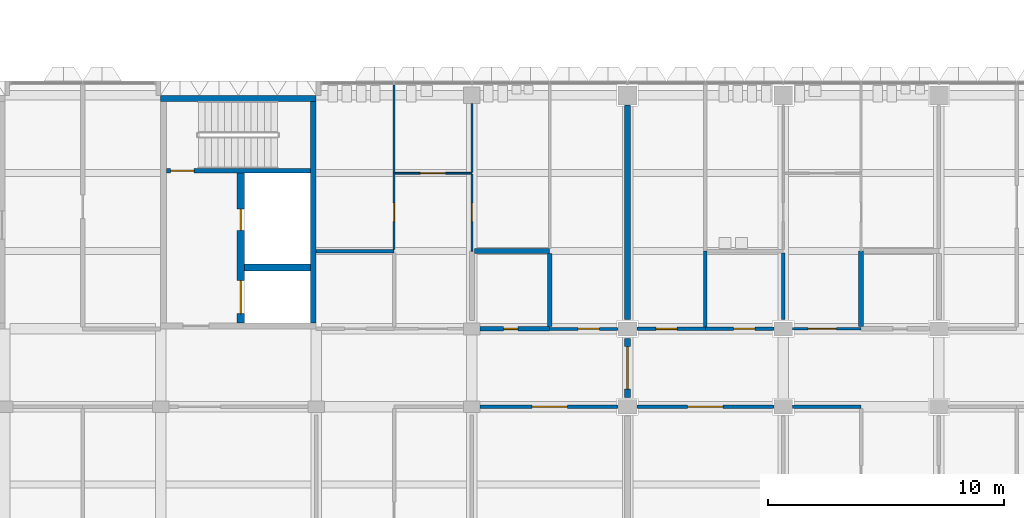
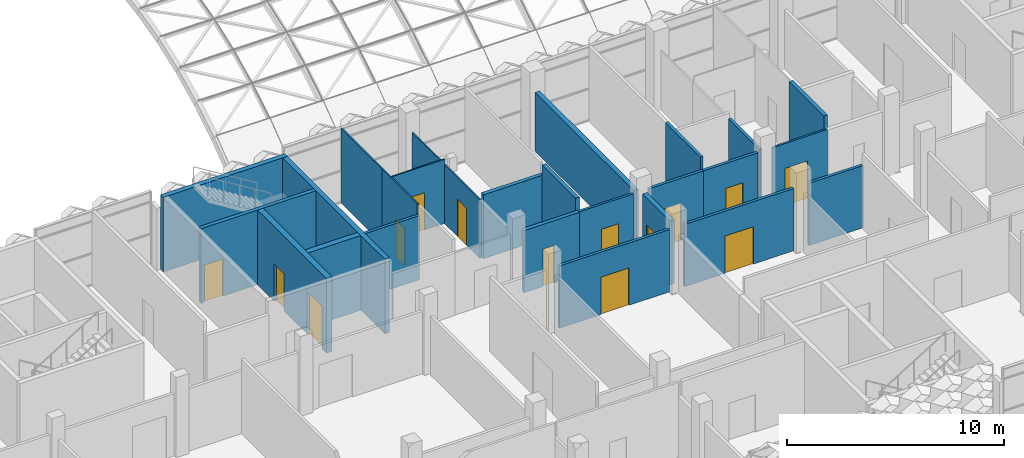
# One storey, part 28 of 85: 26 walls, 14 doors, 14 openings.
"""IFC4 building model written with IfcOpenShell, lengths in metres."""

from ifc_helpers import new_model, si_unit, direction, frame, frame_2d, origin, place, context, subcontext, project, spatial, rectangle, extrude, material, layer, layer_set, type_object, element, fill, save


model = new_model("IFC4")

# Units and contexts
model_context = context("Model", 3, precision=1e-05, world=origin(), true_north=direction((0.0, 1.0)))
body_context = subcontext(model_context, "Body", "Model", "MODEL_VIEW")
ifc_project = project(units=[si_unit("LENGTHUNIT", "METRE"), si_unit("AREAUNIT", "SQUARE_METRE"), si_unit("VOLUMEUNIT", "CUBIC_METRE"), si_unit("PLANEANGLEUNIT", "RADIAN"), si_unit("MASSUNIT", "GRAM", prefix="KILO")], contexts=[model_context])

# Site, building, storey
site_placement = place(None, origin())
site = spatial("IfcSite", under=ifc_project, at=site_placement, CompositionType="ELEMENT")
building_placement = place(site_placement, origin())
building = spatial("IfcBuilding", under=site, at=building_placement, Name="Lantern Court Research Institute", CompositionType="ELEMENT")
storey_placement = place(building_placement, frame((0.0, 0.0, 18.89990234375)))
storey = spatial("IfcBuildingStorey", under=building, at=storey_placement, Name="L04", CompositionType="ELEMENT", Elevation=18.89990234375)

# Wall, opening, door
ifc_material_1 = material(Name="Fire-rated gypsum board partition, mineral wool filled")
ifc_layer_1 = layer(ifc_material_1, 0.199951171875)
ifc_layer_set_1 = layer_set([ifc_layer_1], Name="Fire-rated gypsum board partition, mineral wool filled")
wall_type_1 = type_object("IfcWallType", Name="Compartment wall 200 EI 120", PredefinedType="PARTITIONING", material=ifc_layer_set_1)
wall_1_placement = place(storey_placement, frame((46.550048828125, 13.199951171875, 0.0), z_axis=(0.0, 0.0, 1.0), x_axis=(1.0, 0.0, 0.0)))
wall_1 = element("IfcWall", 1, at=wall_1_placement, inside=storey, type_object=wall_type_1, Name="Compartment wall 200 EI 120", PredefinedType="PARTITIONING", context=body_context, shape_type="SweptSolid", body=[
    extrude(rectangle(XDim=2.949951171875, YDim=0.199951171875, at=frame_2d((1.47509765625, 0.0))), origin(), (0.0, 0.0, 1.0), 3.5),
])
opening_1_placement = place(wall_1_placement, frame((1.0, 0.0, 0.0)))
opening_1 = element("IfcOpeningElement", 2, at=opening_1_placement, cuts=wall_1, Name="Opening D4409", PredefinedType="OPENING", context=body_context, shape_type="SweptSolid", body=[
    extrude(rectangle(XDim=0.60009765625, YDim=2.10009765625, at=frame_2d((0.300048828125, 1.050048828125))), frame((0.0, 0.10986328125, 0.0), z_axis=(0.0, -1.0, 0.0), x_axis=(1.0, 0.0, 0.0)), (0.0, 0.0, 1.0), 0.219970703125),
])
ifc_material_2 = material(Name="Solid-core timber door leaf", Category="wood")
ifc_layer_2 = layer(ifc_material_2, 0.06005859375)
ifc_layer_set_2 = layer_set([ifc_layer_2], Name="Solid-core timber door leaf")
door_type_1 = type_object("IfcDoorType", Name="Service riser door 600 x 2100 single FD60", OperationType="NOTDEFINED", PredefinedType="DOOR", material=ifc_layer_set_2)
door_1_placement = place(opening_1_placement, origin())
door_1 = element("IfcDoor", 3, at=door_1_placement, inside=storey, type_object=door_type_1, Name="Door D4409", OperationType="SINGLE_SWING_RIGHT", OverallHeight=2.10009765625, OverallWidth=0.60009765625, PredefinedType="DOOR", context=body_context, shape_type="SweptSolid", body=[
    extrude(rectangle(XDim=0.60009765625, YDim=2.10009765625, at=frame_2d((0.300048828125, 1.050048828125))), frame((0.0, 0.030029296875, 0.0), z_axis=(0.0, -1.0, 0.0), x_axis=(1.0, 0.0, 0.0)), (0.0, 0.0, 1.0), 0.06005859375),
])
fill(opening_1, door_1)

# Walls
wall_2_placement = place(storey_placement, frame((49.5, 16.5, 0.0), z_axis=(0.0, 0.0, 1.0), x_axis=(-1.0, 0.0, 0.0)))
element("IfcWall", 4, at=wall_2_placement, inside=storey, type_object=wall_type_1, Name="Compartment wall 200 EI 120", PredefinedType="PARTITIONING", context=body_context, shape_type="SweptSolid", body=[
    extrude(rectangle(XDim=3.199951171875, YDim=0.199951171875, at=frame_2d((1.60009765625, 0.0))), origin(), (0.0, 0.0, 1.0), 3.60009765625),
])
wall_3_placement = place(storey_placement, frame((49.5, 13.300048828125, 0.0), z_axis=(0.0, 0.0, 1.0), x_axis=(0.0, 1.0, 0.0)))
element("IfcWall", 5, at=wall_3_placement, inside=storey, type_object=wall_type_1, Name="Compartment wall 200 EI 120", PredefinedType="PARTITIONING", context=body_context, shape_type="SweptSolid", body=[
    extrude(rectangle(XDim=3.099853515625, YDim=0.199951171875, at=frame_2d((1.5498046875, 0.0))), origin(), (0.0, 0.0, 1.0), 4.2001953125),
])
wall_4_placement = place(storey_placement, frame((62.699951171875, 13.300048828125, 0.0), z_axis=(0.0, 0.0, 1.0), x_axis=(0.0, 1.0, 0.0)))
element("IfcWall", 6, at=wall_4_placement, inside=storey, type_object=wall_type_1, Name="Compartment wall 200 EI 120", PredefinedType="PARTITIONING", context=body_context, shape_type="SweptSolid", body=[
    extrude(rectangle(XDim=3.199951171875, YDim=0.199951171875, at=frame_2d((1.60009765625, 0.0))), origin(), (0.0, 0.0, 1.0), 4.2001953125),
])

# Wall, opening, door
ifc_material_3 = material(Name="Fire-rated gypsum board partition, mineral wool filled")
ifc_layer_3 = layer(ifc_material_3, 0.125)
ifc_layer_set_3 = layer_set([ifc_layer_3], Name="Fire-rated gypsum board partition, mineral wool filled")
wall_type_2 = type_object("IfcWallType", Name="Corridor partition 125 EI 60", PredefinedType="PARTITIONING", material=ifc_layer_set_3)
wall_5_placement = place(storey_placement, frame((49.5, 13.199951171875, 0.0), z_axis=(0.0, 0.0, 1.0), x_axis=(1.0, 0.0, 0.0)))
wall_5 = element("IfcWall", 7, at=wall_5_placement, inside=storey, type_object=wall_type_2, Name="Corridor partition 125 EI 60", PredefinedType="PARTITIONING", context=body_context, shape_type="SweptSolid", body=[
    extrude(rectangle(XDim=2.89990234375, YDim=0.125, at=frame_2d((1.449951171875, 0.0))), origin(), (0.0, 0.0, 1.0), 3.5),
])
opening_2_placement = place(wall_5_placement, frame((1.199951171875, 0.0, 0.0)))
opening_2 = element("IfcOpeningElement", 8, at=opening_2_placement, cuts=wall_5, Name="Opening D4411", PredefinedType="OPENING", context=body_context, shape_type="SweptSolid", body=[
    extrude(rectangle(XDim=0.89990234375, YDim=2.10009765625, at=frame_2d((0.449951171875, 1.050048828125))), frame((0.0, 0.072509765625, 0.0), z_axis=(0.0, -1.0, 0.0), x_axis=(1.0, 0.0, 0.0)), (0.0, 0.0, 1.0), 0.14501953125),
])
ifc_material_4 = material(Name="Solid-core timber door leaf", Category="wood")
ifc_layer_4 = layer(ifc_material_4, 0.053955078125)
ifc_layer_set_4 = layer_set([ifc_layer_4], Name="Solid-core timber door leaf")
door_type_2 = type_object("IfcDoorType", Name="Office door 900 x 2100 single FD30S", OperationType="NOTDEFINED", PredefinedType="DOOR", material=ifc_layer_set_4)
door_2_placement = place(opening_2_placement, origin())
door_2 = element("IfcDoor", 9, at=door_2_placement, inside=storey, type_object=door_type_2, Name="Door D4411", OperationType="SINGLE_SWING_RIGHT", OverallHeight=2.10009765625, OverallWidth=0.89990234375, PredefinedType="DOOR", context=body_context, shape_type="SweptSolid", body=[
    extrude(rectangle(XDim=0.89990234375, YDim=2.10009765625, at=frame_2d((0.449951171875, 1.050048828125))), frame((0.0, 0.02685546875, 0.0), z_axis=(0.0, -1.0, 0.0), x_axis=(1.0, 0.0, 0.0)), (0.0, 0.0, 1.0), 0.053955078125),
])
fill(opening_2, door_2)

ifc_material_5 = material(Name="Fire-rated gypsum board partition, mineral wool filled")
ifc_layer_5 = layer(ifc_material_5, 0.14990234375)
ifc_layer_set_5 = layer_set([ifc_layer_5], Name="Fire-rated gypsum board partition, mineral wool filled")
wall_type_3 = type_object("IfcWallType", Name="Laboratory partition 150 EI 60", PredefinedType="PARTITIONING", material=ifc_layer_set_5)
wall_6_placement = place(storey_placement, frame((46.550048828125, 9.89990234375, 0.0), z_axis=(0.0, 0.0, 1.0), x_axis=(1.0, 0.0, 0.0)))
wall_6 = element("IfcWall", 10, at=wall_6_placement, inside=storey, type_object=wall_type_3, Name="Laboratory partition 150 EI 60", PredefinedType="PARTITIONING", context=body_context, shape_type="SweptSolid", body=[
    extrude(rectangle(XDim=5.849853515625, YDim=0.14990234375, at=frame_2d((2.9248046875, 0.0))), origin(), (0.0, 0.0, 1.0), 3.5),
])
opening_3_placement = place(wall_6_placement, frame((2.199951171875, 0.0, 0.0)))
opening_3 = element("IfcOpeningElement", 11, at=opening_3_placement, cuts=wall_6, Name="Opening D4427", PredefinedType="OPENING", context=body_context, shape_type="SweptSolid", body=[
    extrude(rectangle(XDim=1.5, YDim=2.10009765625, at=frame_2d((0.75, 1.050048828125))), frame((0.0, 0.0849609375, 0.0), z_axis=(0.0, -1.0, 0.0), x_axis=(1.0, 0.0, 0.0)), (0.0, 0.0, 1.0), 0.169921875),
])
ifc_material_6 = material(Name="Solid-core timber door leaf with vision panel", Category="wood")
ifc_layer_6 = layer(ifc_material_6, 0.053955078125)
ifc_layer_set_6 = layer_set([ifc_layer_6], Name="Solid-core timber door leaf with vision panel")
door_type_3 = type_object("IfcDoorType", Name="Laboratory double door 1500 x 2100 pair FD30S", OperationType="DOUBLE_DOOR_SINGLE_SWING", PredefinedType="DOOR", material=ifc_layer_set_6)
door_3_placement = place(opening_3_placement, origin())
door_3 = element("IfcDoor", 12, at=door_3_placement, inside=storey, type_object=door_type_3, Name="Door D4427", OperationType="DOUBLE_DOOR_SINGLE_SWING", OverallHeight=2.10009765625, OverallWidth=1.5, PredefinedType="DOOR", context=body_context, shape_type="SweptSolid", body=[
    extrude(rectangle(XDim=1.5, YDim=2.10009765625, at=frame_2d((0.75, 1.050048828125))), frame((0.0, 0.02685546875, 0.0), z_axis=(0.0, -1.0, 0.0), x_axis=(1.0, 0.0, 0.0)), (0.0, 0.0, 1.0), 0.053955078125),
])
fill(opening_3, door_3)

# Wall
wall_7_placement = place(storey_placement, frame((42.89990234375, 16.5, 0.0), z_axis=(0.0, 0.0, 1.0), x_axis=(-1.0, 0.0, 0.0)))
element("IfcWall", 13, at=wall_7_placement, inside=storey, type_object=wall_type_3, Name="Laboratory partition 150 EI 60", PredefinedType="PARTITIONING", context=body_context, shape_type="SweptSolid", body=[
    extrude(rectangle(XDim=3.2998046875, YDim=0.14990234375, at=frame_2d((1.64990234375, 0.0))), origin(), (0.0, 0.0, 1.0), 3.60009765625),
])

# Wall, opening, door
wall_8_placement = place(storey_placement, frame((56.10009765625, 13.199951171875, 0.0), z_axis=(0.0, 0.0, 1.0), x_axis=(-1.0, 0.0, 0.0)))
wall_8 = element("IfcWall", 14, at=wall_8_placement, inside=storey, type_object=wall_type_3, Name="Laboratory partition 150 EI 60", PredefinedType="PARTITIONING", context=body_context, shape_type="SweptSolid", body=[
    extrude(rectangle(XDim=2.900146484375, YDim=0.14990234375, at=frame_2d((1.4501953125, 0.0))), origin(), (0.0, 0.0, 1.0), 3.5),
])
opening_4_placement = place(wall_8_placement, frame((1.199951171875, 0.0, 0.0)))
opening_4 = element("IfcOpeningElement", 15, at=opening_4_placement, cuts=wall_8, Name="Opening D5401", PredefinedType="OPENING", context=body_context, shape_type="SweptSolid", body=[
    extrude(rectangle(XDim=0.89990234375, YDim=2.10009765625, at=frame_2d((0.449951171875, 1.050048828125))), frame((0.0, 0.0849609375, 0.0), z_axis=(0.0, -1.0, 0.0), x_axis=(1.0, 0.0, 0.0)), (0.0, 0.0, 1.0), 0.169921875),
])
ifc_material_7 = material(Name="Solid-core timber door leaf", Category="wood")
ifc_layer_7 = layer(ifc_material_7, 0.06005859375)
ifc_layer_set_7 = layer_set([ifc_layer_7], Name="Solid-core timber door leaf")
door_type_4 = type_object("IfcDoorType", Name="Server room door 900 x 2100 single FD60", OperationType="NOTDEFINED", PredefinedType="DOOR", material=ifc_layer_set_7)
door_4_placement = place(opening_4_placement, origin())
door_4 = element("IfcDoor", 16, at=door_4_placement, inside=storey, type_object=door_type_4, Name="Door D5401", OperationType="SINGLE_SWING_LEFT", OverallHeight=2.10009765625, OverallWidth=0.89990234375, PredefinedType="DOOR", context=body_context, shape_type="SweptSolid", body=[
    extrude(rectangle(XDim=0.89990234375, YDim=2.10009765625, at=frame_2d((0.449951171875, 1.050048828125))), frame((0.0, 0.030029296875, 0.0), z_axis=(0.0, -1.0, 0.0), x_axis=(1.0, 0.0, 0.0)), (0.0, 0.0, 1.0), 0.06005859375),
])
fill(opening_4, door_4)

wall_9_placement = place(storey_placement, frame((59.0, 13.199951171875, 0.0), z_axis=(0.0, 0.0, 1.0), x_axis=(-1.0, 0.0, 0.0)))
wall_9 = element("IfcWall", 17, at=wall_9_placement, inside=storey, type_object=wall_type_3, Name="Laboratory partition 150 EI 60", PredefinedType="PARTITIONING", context=body_context, shape_type="SweptSolid", body=[
    extrude(rectangle(XDim=2.89990234375, YDim=0.14990234375, at=frame_2d((1.449951171875, 0.0))), origin(), (0.0, 0.0, 1.0), 3.5),
])
opening_5_placement = place(wall_9_placement, frame((0.800048828125, 0.0, 0.0)))
opening_5 = element("IfcOpeningElement", 18, at=opening_5_placement, cuts=wall_9, Name="Opening D5402", PredefinedType="OPENING", context=body_context, shape_type="SweptSolid", body=[
    extrude(rectangle(XDim=0.89990234375, YDim=2.10009765625, at=frame_2d((0.449951171875, 1.050048828125))), frame((0.0, 0.0849609375, 0.0), z_axis=(0.0, -1.0, 0.0), x_axis=(1.0, 0.0, 0.0)), (0.0, 0.0, 1.0), 0.169921875),
])
ifc_material_8 = material(Name="Solid-core timber door leaf", Category="wood")
ifc_layer_8 = layer(ifc_material_8, 0.053955078125)
ifc_layer_set_8 = layer_set([ifc_layer_8], Name="Solid-core timber door leaf")
door_type_5 = type_object("IfcDoorType", Name="Cleaners store door 900 x 2100 single FD30S", OperationType="NOTDEFINED", PredefinedType="DOOR", material=ifc_layer_set_8)
door_5_placement = place(opening_5_placement, origin())
door_5 = element("IfcDoor", 19, at=door_5_placement, inside=storey, type_object=door_type_5, Name="Door D5402", OperationType="SINGLE_SWING_LEFT", OverallHeight=2.10009765625, OverallWidth=0.89990234375, PredefinedType="DOOR", context=body_context, shape_type="SweptSolid", body=[
    extrude(rectangle(XDim=0.89990234375, YDim=2.10009765625, at=frame_2d((0.449951171875, 1.050048828125))), frame((0.0, 0.02685546875, 0.0), z_axis=(0.0, -1.0, 0.0), x_axis=(1.0, 0.0, 0.0)), (0.0, 0.0, 1.0), 0.053955078125),
])
fill(opening_5, door_5)

wall_10_placement = place(storey_placement, frame((53.199951171875, 9.89990234375, 0.0), z_axis=(0.0, 0.0, 1.0), x_axis=(1.0, 0.0, 0.0)))
wall_10 = element("IfcWall", 20, at=wall_10_placement, inside=storey, type_object=wall_type_3, Name="Laboratory partition 150 EI 60", PredefinedType="PARTITIONING", context=body_context, shape_type="SweptSolid", body=[
    extrude(rectangle(XDim=5.800048828125, YDim=0.14990234375, at=frame_2d((2.89990234375, 0.0))), origin(), (0.0, 0.0, 1.0), 3.5),
])
opening_6_placement = place(wall_10_placement, frame((2.14990234375, 0.0, 0.0)))
opening_6 = element("IfcOpeningElement", 21, at=opening_6_placement, cuts=wall_10, Name="Opening D5412", PredefinedType="OPENING", context=body_context, shape_type="SweptSolid", body=[
    extrude(rectangle(XDim=1.5, YDim=2.10009765625, at=frame_2d((0.75, 1.050048828125))), frame((0.0, 0.0849609375, 0.0), z_axis=(0.0, -1.0, 0.0), x_axis=(1.0, 0.0, 0.0)), (0.0, 0.0, 1.0), 0.169921875),
])
door_6_placement = place(opening_6_placement, origin())
door_6 = element("IfcDoor", 22, at=door_6_placement, inside=storey, type_object=door_type_3, Name="Door D5412", OperationType="DOUBLE_DOOR_SINGLE_SWING", OverallHeight=2.10009765625, OverallWidth=1.5, PredefinedType="DOOR", context=body_context, shape_type="SweptSolid", body=[
    extrude(rectangle(XDim=1.5, YDim=2.10009765625, at=frame_2d((0.75, 1.050048828125))), frame((0.0, 0.02685546875, 0.0), z_axis=(0.0, -1.0, 0.0), x_axis=(1.0, 0.0, 0.0)), (0.0, 0.0, 1.0), 0.053955078125),
])
fill(opening_6, door_6)

# Walls
wall_11_placement = place(storey_placement, frame((59.800048828125, 9.89990234375, 0.0), z_axis=(0.0, 0.0, 1.0), x_axis=(1.0, 0.0, 0.0)))
element("IfcWall", 23, at=wall_11_placement, inside=storey, type_object=wall_type_3, Name="Laboratory partition 150 EI 60", PredefinedType="PARTITIONING", context=body_context, shape_type="SweptSolid", body=[
    extrude(rectangle(XDim=2.89990234375, YDim=0.14990234375, at=frame_2d((1.449951171875, 0.0))), origin(), (0.0, 0.0, 1.0), 3.5),
])
wall_12_placement = place(storey_placement, frame((56.10009765625, 13.27490234375, 0.0), z_axis=(0.0, 0.0, 1.0), x_axis=(0.0, 1.0, 0.0)))
element("IfcWall", 24, at=wall_12_placement, inside=storey, type_object=wall_type_3, Name="Laboratory partition 150 EI 60", PredefinedType="PARTITIONING", context=body_context, shape_type="SweptSolid", body=[
    extrude(rectangle(XDim=3.22509765625, YDim=0.14990234375, at=frame_2d((1.612548828125, 0.0))), origin(), (0.0, 0.0, 1.0), 4.2001953125),
])
wall_13_placement = place(storey_placement, frame((59.39990234375, 13.60009765625, 0.0), z_axis=(0.0, 0.0, 1.0), x_axis=(0.0, 1.0, 0.0)))
element("IfcWall", 25, at=wall_13_placement, inside=storey, type_object=wall_type_3, Name="Laboratory partition 150 EI 60", PredefinedType="PARTITIONING", context=body_context, shape_type="SweptSolid", body=[
    extrude(rectangle(XDim=2.824951171875, YDim=0.14990234375, at=frame_2d((1.41259765625, 0.0))), origin(), (0.0, 0.0, 1.0), 3.300048828125),
])

# Wall, opening, door
ifc_material_9 = material(Name="Gypsum board partition, mineral wool filled")
ifc_layer_9 = layer(ifc_material_9, 0.10009765625)
ifc_layer_set_9 = layer_set([ifc_layer_9], Name="Gypsum board partition, mineral wool filled")
wall_type_4 = type_object("IfcWallType", Name="Partition 100", PredefinedType="PARTITIONING", material=ifc_layer_set_9)
wall_14_placement = place(storey_placement, frame((59.800048828125, 13.199951171875, 0.0), z_axis=(0.0, 0.0, 1.0), x_axis=(1.0, 0.0, 0.0)))
wall_14 = element("IfcWall", 26, at=wall_14_placement, inside=storey, type_object=wall_type_4, Name="Partition 100", PredefinedType="PARTITIONING", context=body_context, shape_type="SweptSolid", body=[
    extrude(rectangle(XDim=2.89990234375, YDim=0.10009765625, at=frame_2d((1.449951171875, 0.0))), origin(), (0.0, 0.0, 1.0), 3.5),
])
opening_7_placement = place(wall_14_placement, frame((0.64990234375, 0.0, 0.0)))
opening_7 = element("IfcOpeningElement", 27, at=opening_7_placement, cuts=wall_14, Name="Opening D5404", PredefinedType="OPENING", context=body_context, shape_type="SweptSolid", body=[
    extrude(rectangle(XDim=1.199951171875, YDim=2.10009765625, at=frame_2d((0.60009765625, 1.050048828125))), frame((0.0, 0.06005859375, 0.0), z_axis=(0.0, -1.0, 0.0), x_axis=(1.0, 0.0, 0.0)), (0.0, 0.0, 1.0), 0.1201171875),
])
ifc_material_10 = material(Name="Solid-core timber door leaf", Category="wood")
ifc_layer_10 = layer(ifc_material_10, 0.0439453125)
ifc_layer_set_10 = layer_set([ifc_layer_10], Name="Solid-core timber door leaf")
door_type_6 = type_object("IfcDoorType", Name="WC vestibule door 1200 x 2100 single NOT RATED", OperationType="NOTDEFINED", PredefinedType="DOOR", material=ifc_layer_set_10)
door_7_placement = place(opening_7_placement, origin())
door_7 = element("IfcDoor", 28, at=door_7_placement, inside=storey, type_object=door_type_6, Name="Door D5404", OperationType="SINGLE_SWING_RIGHT", OverallHeight=2.10009765625, OverallWidth=1.199951171875, PredefinedType="DOOR", context=body_context, shape_type="SweptSolid", body=[
    extrude(rectangle(XDim=1.199951171875, YDim=2.10009765625, at=frame_2d((0.60009765625, 1.050048828125))), frame((0.0, 0.02197265625, 0.0), z_axis=(0.0, -1.0, 0.0), x_axis=(1.0, 0.0, 0.0)), (0.0, 0.0, 1.0), 0.0439453125),
])
fill(opening_7, door_7)

ifc_material_11 = material(Name="Fire-rated gypsum board partition, double stud, mineral wool filled")
ifc_layer_11 = layer(ifc_material_11, 0.25)
ifc_layer_set_11 = layer_set([ifc_layer_11], Name="Fire-rated gypsum board partition, double stud, mineral wool filled")
wall_type_5 = type_object("IfcWallType", Name="Plant compartment wall 250 EI 120", PredefinedType="PARTITIONING", material=ifc_layer_set_11)
wall_15_placement = place(storey_placement, frame((52.800048828125, 10.300048828125, 0.0), z_axis=(0.0, 0.0, 1.0), x_axis=(0.0, 1.0, 0.0)))
wall_15 = element("IfcWall", 29, at=wall_15_placement, inside=storey, type_object=wall_type_5, Name="Plant compartment wall 250 EI 120", PredefinedType="PARTITIONING", context=body_context, shape_type="SweptSolid", body=[
    extrude(rectangle(XDim=2.5, YDim=0.25, at=frame_2d((1.25, 0.0))), origin(), (0.0, 0.0, 1.0), 3.60009765625),
])
opening_8_placement = place(wall_15_placement, frame((0.35009765625, 0.0, 0.0)))
opening_8 = element("IfcOpeningElement", 30, at=opening_8_placement, cuts=wall_15, Name="Opening D4401", PredefinedType="OPENING", context=body_context, shape_type="SweptSolid", body=[
    extrude(rectangle(XDim=1.800048828125, YDim=2.10009765625, at=frame_2d((0.89990234375, 1.050048828125))), frame((0.0, 0.135009765625, 0.0), z_axis=(0.0, -1.0, 0.0), x_axis=(1.0, 0.0, 0.0)), (0.0, 0.0, 1.0), 0.27001953125),
])
ifc_material_12 = material(Name="Solid-core timber door leaf", Category="wood")
ifc_layer_12 = layer(ifc_material_12, 0.06005859375)
ifc_layer_set_12 = layer_set([ifc_layer_12], Name="Solid-core timber door leaf")
door_type_7 = type_object("IfcDoorType", Name="Corridor fire door pair door 1800 x 2100 pair FD60", OperationType="DOUBLE_DOOR_SINGLE_SWING", PredefinedType="DOOR", material=ifc_layer_set_12)
door_8_placement = place(opening_8_placement, origin())
door_8 = element("IfcDoor", 31, at=door_8_placement, inside=storey, type_object=door_type_7, Name="Door D4401", OperationType="DOUBLE_DOOR_SINGLE_SWING", OverallHeight=2.10009765625, OverallWidth=1.800048828125, PredefinedType="DOOR", context=body_context, shape_type="SweptSolid", body=[
    extrude(rectangle(XDim=1.800048828125, YDim=2.10009765625, at=frame_2d((0.89990234375, 1.050048828125))), frame((0.0, 0.030029296875, 0.0), z_axis=(0.0, -1.0, 0.0), x_axis=(1.0, 0.0, 0.0)), (0.0, 0.0, 1.0), 0.06005859375),
])
fill(opening_8, door_8)

# Walls
wall_16_placement = place(storey_placement, frame((52.800048828125, 13.60009765625, 0.0), z_axis=(0.0, 0.0, 1.0), x_axis=(0.0, 1.0, 0.0)))
element("IfcWall", 32, at=wall_16_placement, inside=storey, type_object=wall_type_5, Name="Plant compartment wall 250 EI 120", PredefinedType="PARTITIONING", context=body_context, shape_type="SweptSolid", body=[
    extrude(rectangle(XDim=9.099853515625, YDim=0.25, at=frame_2d((4.5498046875, 0.0))), origin(), (0.0, 0.0, 1.0), 3.300048828125),
])
ifc_material_13 = material(Name="Concrete C40/50", Category="concrete")
ifc_layer_13 = layer(ifc_material_13, 0.25)
ifc_layer_set_13 = layer_set([ifc_layer_13], Name="Concrete C40/50")
wall_type_6 = type_object("IfcWallType", Name="RC core wall 250", PredefinedType="SHEAR", material=ifc_layer_set_13)
wall_17_placement = place(storey_placement, frame((39.47509765625, 13.449951171875, 0.0), z_axis=(0.0, 0.0, 1.0), x_axis=(0.0, 1.0, 0.0)))
element("IfcWall", 33, at=wall_17_placement, inside=storey, type_object=wall_type_6, Name="East wall of core BC-E", PredefinedType="SHEAR", context=body_context, shape_type="SweptSolid", body=[
    extrude(rectangle(XDim=9.400146484375, YDim=0.25, at=frame_2d((4.7001953125, 0.0))), origin(), (0.0, 0.0, 1.0), 4.2001953125),
])
ifc_material_14 = material(Name="Concrete C40/50", Category="concrete")
ifc_layer_14 = layer(ifc_material_14, 0.25)
ifc_layer_set_14 = layer_set([ifc_layer_14], Name="Concrete C40/50")
wall_type_7 = type_object("IfcWallType", Name="RC core wall 250 facade", PredefinedType="SHEAR", material=ifc_layer_set_14)
wall_18_placement = place(storey_placement, frame((33.0, 22.97509765625, 0.0), z_axis=(0.0, 0.0, 1.0), x_axis=(1.0, 0.0, 0.0)))
element("IfcWall", 34, at=wall_18_placement, inside=storey, type_object=wall_type_7, Name="North wall of core BC-E", PredefinedType="SHEAR", context=body_context, shape_type="SweptSolid", body=[
    extrude(rectangle(XDim=6.60009765625, YDim=0.25, at=frame_2d((3.300048828125, 0.0))), origin(), (0.0, 0.0, 1.0), 4.2001953125),
])

# Wall, opening, door
ifc_material_15 = material(Name="Concrete C40/50", Category="concrete")
ifc_layer_15 = layer(ifc_material_15, 0.199951171875)
ifc_layer_set_15 = layer_set([ifc_layer_15], Name="Concrete C40/50")
wall_type_8 = type_object("IfcWallType", Name="RC shaft wall 200", PredefinedType="SHEAR", material=ifc_layer_set_15)
wall_19_placement = place(storey_placement, frame((33.25, 19.89990234375, 0.0), z_axis=(0.0, 0.0, 1.0), x_axis=(1.0, 0.0, 0.0)))
wall_19 = element("IfcWall", 35, at=wall_19_placement, inside=storey, type_object=wall_type_8, Name="Stair wall of core BC-E", PredefinedType="SHEAR", context=body_context, shape_type="SweptSolid", body=[
    extrude(rectangle(XDim=6.10009765625, YDim=0.199951171875, at=frame_2d((3.050048828125, 0.0))), origin(), (0.0, 0.0, 1.0), 4.2001953125),
])
opening_9_placement = place(wall_19_placement, frame((0.175048828125, 0.0, 0.0)))
opening_9 = element("IfcOpeningElement", 36, at=opening_9_placement, cuts=wall_19, Name="Opening D7089", PredefinedType="OPENING", context=body_context, shape_type="SweptSolid", body=[
    extrude(rectangle(XDim=1.0, YDim=2.10009765625, at=frame_2d((0.5, 1.050048828125))), frame((0.0, 0.10986328125, 0.0), z_axis=(0.0, -1.0, 0.0), x_axis=(1.0, 0.0, 0.0)), (0.0, 0.0, 1.0), 0.219970703125),
])
ifc_material_16 = material(Name="Steel fire door leaf with smoke seals", Category="steel")
door_type_8 = type_object("IfcDoorType", Name="Door 1000 x 2100 fire rated FD60S", OperationType="NOTDEFINED", PredefinedType="DOOR", material=ifc_material_16)
door_9_placement = place(opening_9_placement, origin())
door_9 = element("IfcDoor", 37, at=door_9_placement, inside=storey, type_object=door_type_8, Name="Stair door", OperationType="SINGLE_SWING_RIGHT", OverallHeight=2.10009765625, OverallWidth=1.0, PredefinedType="DOOR", context=body_context, shape_type="SweptSolid", body=[
    extrude(rectangle(XDim=1.0, YDim=2.10009765625, at=frame_2d((0.5, 1.050048828125))), frame((0.0, 0.02490234375, 0.0), z_axis=(0.0, -1.0, 0.0), x_axis=(1.0, 0.0, 0.0)), (0.0, 0.0, 1.0), 0.050048828125),
])
fill(opening_9, door_9)

# Wall, openings, doors
ifc_material_17 = material(Name="Concrete C40/50", Category="concrete")
ifc_layer_16 = layer(ifc_material_17, 0.300048828125)
ifc_layer_set_16 = layer_set([ifc_layer_16], Name="Concrete C40/50")
wall_type_9 = type_object("IfcWallType", Name="RC shaft wall 300", PredefinedType="SHEAR", material=ifc_layer_set_16)
wall_20_placement = place(storey_placement, frame((36.39990234375, 13.449951171875, 0.0), z_axis=(0.0, 0.0, 1.0), x_axis=(0.0, 1.0, 0.0)))
wall_20 = element("IfcWall", 38, at=wall_20_placement, inside=storey, type_object=wall_type_9, Name="Lift shaft wall of core BC-E", PredefinedType="SHEAR", context=body_context, shape_type="SweptSolid", body=[
    extrude(rectangle(XDim=6.35009765625, YDim=0.300048828125, at=frame_2d((3.175048828125, 0.0))), origin(), (0.0, 0.0, 1.0), 4.2001953125),
])
opening_10_placement = place(wall_20_placement, frame((3.925048828125, 0.0, 0.0)))
opening_10 = element("IfcOpeningElement", 39, at=opening_10_placement, cuts=wall_20, Name="Opening D7087", PredefinedType="OPENING", context=body_context, shape_type="SweptSolid", body=[
    extrude(rectangle(XDim=0.89990234375, YDim=2.10009765625, at=frame_2d((0.449951171875, 1.050048828125))), frame((0.0, 0.159912109375, 0.0), z_axis=(0.0, -1.0, 0.0), x_axis=(1.0, 0.0, 0.0)), (0.0, 0.0, 1.0), 0.320068359375),
])
opening_11_placement = place(wall_20_placement, frame((0.39990234375, 0.0, 0.0)))
opening_11 = element("IfcOpeningElement", 40, at=opening_11_placement, cuts=wall_20, Name="Opening D7090", PredefinedType="OPENING", context=body_context, shape_type="SweptSolid", body=[
    extrude(rectangle(XDim=1.39990234375, YDim=2.39990234375, at=frame_2d((0.699951171875, 1.199951171875))), frame((0.0, 0.159912109375, 0.0), z_axis=(0.0, -1.0, 0.0), x_axis=(1.0, 0.0, 0.0)), (0.0, 0.0, 1.0), 0.320068359375),
])
ifc_material_18 = material(Name="Steel fire door leaf", Category="steel")
door_type_9 = type_object("IfcDoorType", Name="Door 900 x 2100 fire rated FD60", OperationType="NOTDEFINED", PredefinedType="DOOR", material=ifc_material_18)
door_10_placement = place(opening_10_placement, origin())
door_10 = element("IfcDoor", 41, at=door_10_placement, inside=storey, type_object=door_type_9, Name="Riser door", OperationType="SINGLE_SWING_RIGHT", OverallHeight=2.10009765625, OverallWidth=0.89990234375, PredefinedType="DOOR", context=body_context, shape_type="SweptSolid", body=[
    extrude(rectangle(XDim=0.89990234375, YDim=2.10009765625, at=frame_2d((0.449951171875, 1.050048828125))), frame((0.0, 0.02490234375, 0.0), z_axis=(0.0, -1.0, 0.0), x_axis=(1.0, 0.0, 0.0)), (0.0, 0.0, 1.0), 0.050048828125),
])
fill(opening_10, door_10)
ifc_material_19 = material(Name="Stainless steel landing door panels", Category="steel")
door_type_10 = type_object("IfcDoorType", Name="Lift landing door 1400 x 2400 sliding FD60", OperationType="DOUBLE_DOOR_SLIDING", PredefinedType="NOTDEFINED", material=ifc_material_19)
door_11_placement = place(opening_11_placement, origin())
door_11 = element("IfcDoor", 42, at=door_11_placement, inside=storey, type_object=door_type_10, Name="Landing door", OperationType="DOUBLE_DOOR_SLIDING", OverallHeight=2.39990234375, OverallWidth=1.39990234375, PredefinedType="NOTDEFINED", context=body_context, shape_type="SweptSolid", body=[
    extrude(rectangle(XDim=1.39990234375, YDim=2.39990234375, at=frame_2d((0.699951171875, 1.199951171875))), frame((0.0, 0.02490234375, 0.0), z_axis=(0.0, -1.0, 0.0), x_axis=(1.0, 0.0, 0.0)), (0.0, 0.0, 1.0), 0.050048828125),
])
fill(opening_11, door_11)

# Wall
wall_21_placement = place(storey_placement, frame((36.550048828125, 15.800048828125, 0.0), z_axis=(0.0, 0.0, 1.0), x_axis=(1.0, 0.0, 0.0)))
element("IfcWall", 43, at=wall_21_placement, inside=storey, type_object=wall_type_9, Name="Lift shaft wall of core BC-E", PredefinedType="SHEAR", context=body_context, shape_type="SweptSolid", body=[
    extrude(rectangle(XDim=2.800048828125, YDim=0.300048828125, at=frame_2d((1.39990234375, 0.0))), origin(), (0.0, 0.0, 1.0), 4.2001953125),
])

# Wall, opening, door
ifc_material_20 = material(Name="Gypsum board partition, mineral wool filled")
ifc_layer_17 = layer(ifc_material_20, 0.074951171875)
ifc_layer_set_17 = layer_set([ifc_layer_17], Name="Gypsum board partition, mineral wool filled")
wall_type_10 = type_object("IfcWallType", Name="Wet room partition 75", PredefinedType="PARTITIONING", material=ifc_layer_set_17)
wall_22_placement = place(storey_placement, frame((42.89990234375, 16.574951171875, 0.0), z_axis=(0.0, 0.0, 1.0), x_axis=(0.0, 1.0, 0.0)))
wall_22 = element("IfcWall", 44, at=wall_22_placement, inside=storey, type_object=wall_type_10, Name="Wet room partition 75", PredefinedType="PARTITIONING", context=body_context, shape_type="SweptSolid", body=[
    extrude(rectangle(XDim=3.22509765625, YDim=0.074951171875, at=frame_2d((1.612548828125, 0.0))), origin(), (0.0, 0.0, 1.0), 4.2001953125),
])
opening_12_placement = place(wall_22_placement, frame((1.175048828125, 0.0, 0.0)))
opening_12 = element("IfcOpeningElement", 45, at=opening_12_placement, cuts=wall_22, Name="Opening D4406", PredefinedType="OPENING", context=body_context, shape_type="SweptSolid", body=[
    extrude(rectangle(XDim=0.800048828125, YDim=2.10009765625, at=frame_2d((0.39990234375, 1.050048828125))), frame((0.0, 0.04736328125, 0.0), z_axis=(0.0, -1.0, 0.0), x_axis=(1.0, 0.0, 0.0)), (0.0, 0.0, 1.0), 0.094970703125),
])
ifc_material_21 = material(Name="Solid-core timber door leaf", Category="wood")
ifc_layer_18 = layer(ifc_material_21, 0.0439453125)
ifc_layer_set_18 = layer_set([ifc_layer_18], Name="Solid-core timber door leaf")
door_type_11 = type_object("IfcDoorType", Name="WC door 800 x 2100 single NOT RATED", OperationType="NOTDEFINED", PredefinedType="DOOR", material=ifc_layer_set_18)
door_12_placement = place(opening_12_placement, origin())
door_12 = element("IfcDoor", 46, at=door_12_placement, inside=storey, type_object=door_type_11, Name="Door D4406", OperationType="SINGLE_SWING_LEFT", OverallHeight=2.10009765625, OverallWidth=0.800048828125, PredefinedType="DOOR", context=body_context, shape_type="SweptSolid", body=[
    extrude(rectangle(XDim=0.800048828125, YDim=2.10009765625, at=frame_2d((0.39990234375, 1.050048828125))), frame((0.0, 0.02197265625, 0.0), z_axis=(0.0, -1.0, 0.0), x_axis=(1.0, 0.0, 0.0)), (0.0, 0.0, 1.0), 0.0439453125),
])
fill(opening_12, door_12)

# Wall
wall_23_placement = place(storey_placement, frame((42.89990234375, 19.800048828125, 0.0), z_axis=(0.0, 0.0, 1.0), x_axis=(0.0, 1.0, 0.0)))
element("IfcWall", 47, at=wall_23_placement, inside=storey, type_object=wall_type_10, Name="Wet room partition 75", PredefinedType="PARTITIONING", context=body_context, shape_type="SweptSolid", body=[
    extrude(rectangle(XDim=3.75, YDim=0.074951171875, at=frame_2d((1.875, 0.0))), origin(), (0.0, 0.0, 1.0), 4.2001953125),
])

# Wall, opening, door
wall_24_placement = place(storey_placement, frame((42.9375, 19.800048828125, 0.0), z_axis=(0.0, 0.0, 1.0), x_axis=(1.0, 0.0, 0.0)))
wall_24 = element("IfcWall", 48, at=wall_24_placement, inside=storey, type_object=wall_type_10, Name="Wet room partition 75", PredefinedType="PARTITIONING", context=body_context, shape_type="SweptSolid", body=[
    extrude(rectangle(XDim=3.262451171875, YDim=0.074951171875, at=frame_2d((1.63134765625, 0.0))), origin(), (0.0, 0.0, 1.0), 3.60009765625),
])
opening_13_placement = place(wall_24_placement, frame((1.0625, 0.0, 0.0)))
opening_13 = element("IfcOpeningElement", 49, at=opening_13_placement, cuts=wall_24, Name="Opening D4408", PredefinedType="OPENING", context=body_context, shape_type="SweptSolid", body=[
    extrude(rectangle(XDim=1.10009765625, YDim=2.10009765625, at=frame_2d((0.550048828125, 1.050048828125))), frame((0.0, 0.04736328125, 0.0), z_axis=(0.0, -1.0, 0.0), x_axis=(1.0, 0.0, 0.0)), (0.0, 0.0, 1.0), 0.094970703125),
])
ifc_material_22 = material(Name="Solid-core timber door leaf", Category="wood")
ifc_layer_19 = layer(ifc_material_22, 0.0439453125)
ifc_layer_set_19 = layer_set([ifc_layer_19], Name="Solid-core timber door leaf")
door_type_12 = type_object("IfcDoorType", Name="Accessible WC door 1100 x 2100 single NOT RATED", OperationType="NOTDEFINED", PredefinedType="DOOR", material=ifc_layer_set_19)
door_13_placement = place(opening_13_placement, origin())
door_13 = element("IfcDoor", 50, at=door_13_placement, inside=storey, type_object=door_type_12, Name="Door D4408", OperationType="SINGLE_SWING_RIGHT", OverallHeight=2.10009765625, OverallWidth=1.10009765625, PredefinedType="DOOR", context=body_context, shape_type="SweptSolid", body=[
    extrude(rectangle(XDim=1.10009765625, YDim=2.10009765625, at=frame_2d((0.550048828125, 1.050048828125))), frame((0.0, 0.02197265625, 0.0), z_axis=(0.0, -1.0, 0.0), x_axis=(1.0, 0.0, 0.0)), (0.0, 0.0, 1.0), 0.0439453125),
])
fill(opening_13, door_13)

wall_25_placement = place(storey_placement, frame((46.199951171875, 19.762451171875, 0.0), z_axis=(0.0, 0.0, 1.0), x_axis=(0.0, -1.0, 0.0)))
wall_25 = element("IfcWall", 51, at=wall_25_placement, inside=storey, type_object=wall_type_10, Name="Wet room partition 75", PredefinedType="PARTITIONING", context=body_context, shape_type="SweptSolid", body=[
    extrude(rectangle(XDim=3.262451171875, YDim=0.074951171875, at=frame_2d((1.63134765625, 0.0))), origin(), (0.0, 0.0, 1.0), 3.300048828125),
])
opening_14_placement = place(wall_25_placement, frame((1.21240234375, 0.0, 0.0)))
opening_14 = element("IfcOpeningElement", 52, at=opening_14_placement, cuts=wall_25, Name="Opening D4410", PredefinedType="OPENING", context=body_context, shape_type="SweptSolid", body=[
    extrude(rectangle(XDim=0.800048828125, YDim=2.10009765625, at=frame_2d((0.39990234375, 1.050048828125))), frame((0.0, 0.04736328125, 0.0), z_axis=(0.0, -1.0, 0.0), x_axis=(1.0, 0.0, 0.0)), (0.0, 0.0, 1.0), 0.094970703125),
])
door_14_placement = place(opening_14_placement, origin())
door_14 = element("IfcDoor", 53, at=door_14_placement, inside=storey, type_object=door_type_11, Name="Door D4410", OperationType="SINGLE_SWING_RIGHT", OverallHeight=2.10009765625, OverallWidth=0.800048828125, PredefinedType="DOOR", context=body_context, shape_type="SweptSolid", body=[
    extrude(rectangle(XDim=0.800048828125, YDim=2.10009765625, at=frame_2d((0.39990234375, 1.050048828125))), frame((0.0, 0.02197265625, 0.0), z_axis=(0.0, -1.0, 0.0), x_axis=(1.0, 0.0, 0.0)), (0.0, 0.0, 1.0), 0.0439453125),
])
fill(opening_14, door_14)

# Wall
wall_26_placement = place(storey_placement, frame((46.199951171875, 19.83740234375, 0.0), z_axis=(0.0, 0.0, 1.0), x_axis=(0.0, 1.0, 0.0)))
element("IfcWall", 54, at=wall_26_placement, inside=storey, type_object=wall_type_10, Name="Wet room partition 75", PredefinedType="PARTITIONING", context=body_context, shape_type="SweptSolid", body=[
    extrude(rectangle(XDim=2.91259765625, YDim=0.074951171875, at=frame_2d((1.456298828125, 0.0))), origin(), (0.0, 0.0, 1.0), 3.300048828125),
])

save(model, "model.ifc")
